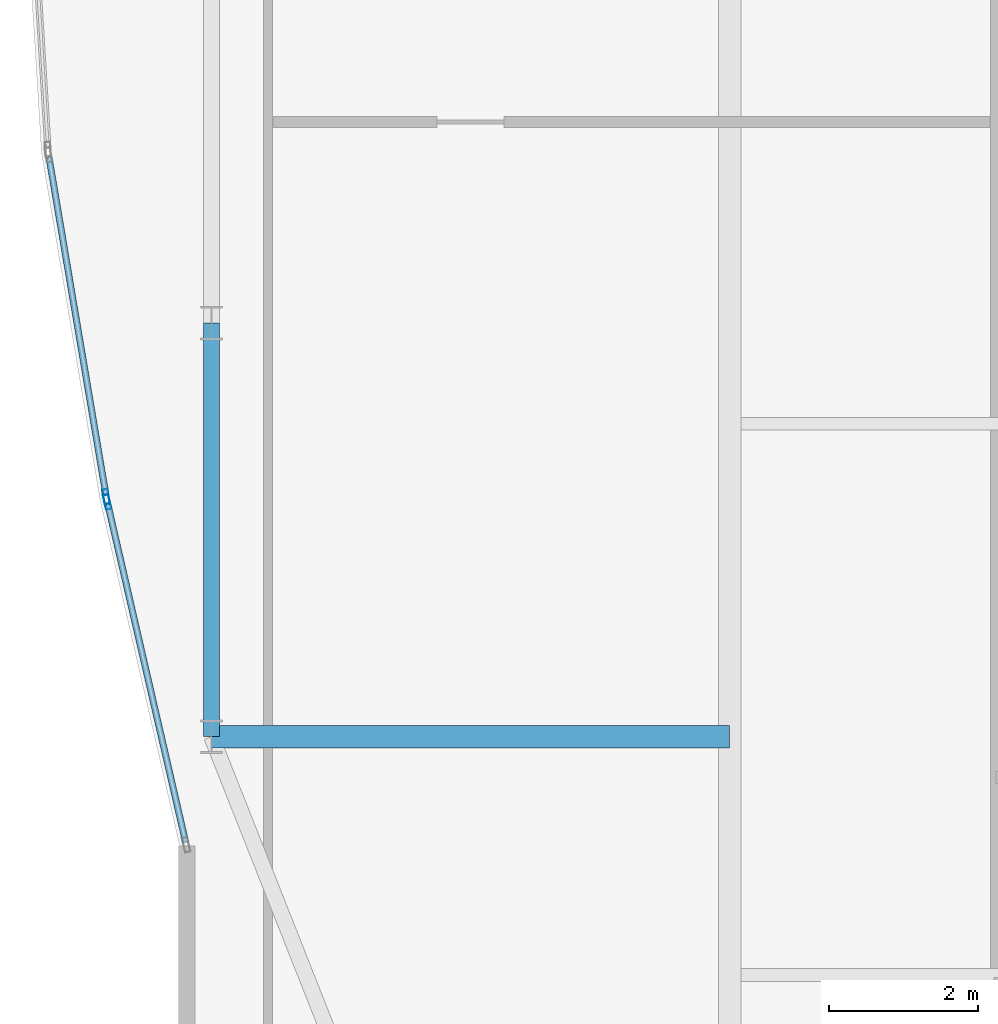
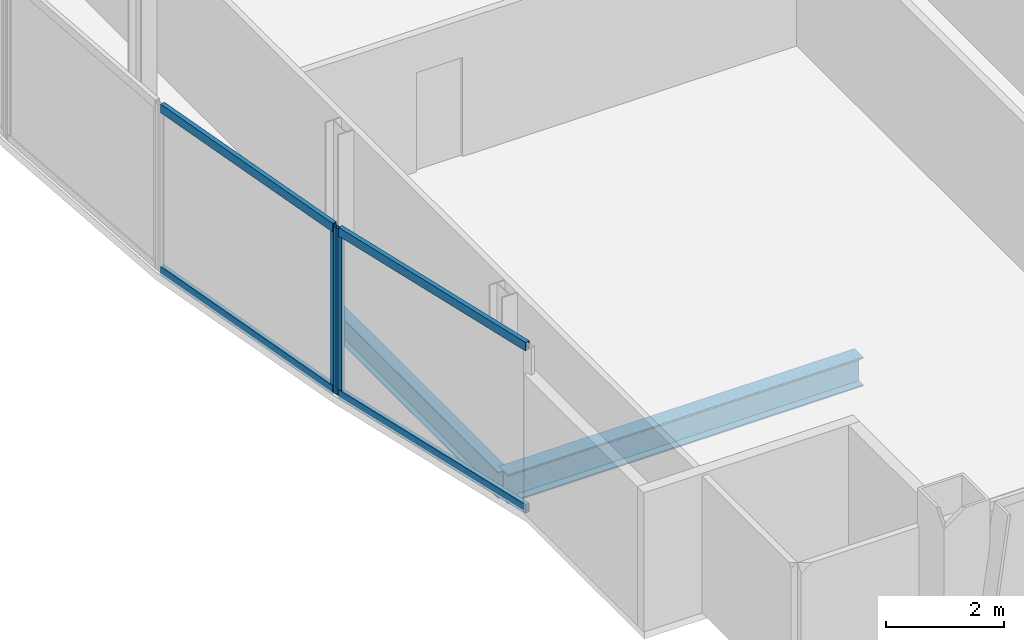
# One storey, part 5 of 29: 6 members, 2 beams, 2 elements without a shape of their own.
"""IFC4 building model written with IfcOpenShell, lengths in metres."""

from ifc_helpers import new_model, si_unit, direction, frame, origin, origin_2d, place, context, subcontext, project, spatial, hollow_rectangle, i_section, extrude, material, material_profile, profile_set, type_object, element, aggregate, save


model = new_model("IFC4")

# Units and contexts
model_context = context("Model", 3, precision=1e-05, world=origin(), true_north=direction((0.0, 1.0)))
body_context = subcontext(model_context, "Body", "Model", "MODEL_VIEW")
ifc_project = project(units=[si_unit("LENGTHUNIT", "METRE"), si_unit("AREAUNIT", "SQUARE_METRE"), si_unit("VOLUMEUNIT", "CUBIC_METRE"), si_unit("PLANEANGLEUNIT", "RADIAN"), si_unit("MASSUNIT", "GRAM", prefix="KILO")], contexts=[model_context])

# Site, building, storey
site_placement = place(None, origin())
site = spatial("IfcSite", under=ifc_project, at=site_placement, CompositionType="ELEMENT")
building_placement = place(site_placement, origin())
building = spatial("IfcBuilding", under=site, at=building_placement, Name="Khoronbel Lancet Exchange", CompositionType="ELEMENT")
storey_placement = place(building_placement, frame((0.0, 0.0, 321.800048828125)))
storey = spatial("IfcBuildingStorey", under=building, at=storey_placement, Name="L83", CompositionType="ELEMENT", Elevation=321.800048828125)

# Beams
ifc_material_1 = material(Name="Steel S355", Category="steel")
ifc_material_profile_1 = material_profile(ifc_material_1, i_section(OverallWidth=0.300048828125, OverallDepth=0.60009765625, WebThickness=0.015380859375, FlangeThickness=0.030029296875, at=origin_2d()), Name="HEB 600")
ifc_profile_set_1 = profile_set([ifc_material_profile_1], Name="Steel S355")
beam_type_1 = type_object("IfcBeamType", Name="BM-BG5", PredefinedType="BEAM", material=ifc_profile_set_1)
beam_1_placement = place(storey_placement, frame((11.27001953125, 19.199951171875, -0.4599609375), z_axis=(1.0, 0.0, 0.0), x_axis=(0.0, 1.0, 0.0)))
element("IfcBeam", 1, at=beam_1_placement, inside=storey, type_object=beam_type_1, Name="Level L83 west lens tie girder LG1W", PredefinedType="BEAM", context=body_context, shape_type="SweptSolid", body=[
    extrude(i_section(OverallWidth=0.300048828125, OverallDepth=0.60009765625, WebThickness=0.015380859375, FlangeThickness=0.030029296875, at=origin_2d()), origin(), (0.0, 0.0, 1.0), 6.955078125),
])
ifc_material_profile_2 = material_profile(ifc_material_1, i_section(OverallWidth=0.2099609375, OverallDepth=0.550048828125, WebThickness=0.010986328125, FlangeThickness=0.01708984375, at=origin_2d()), Name="IPE 550")
ifc_profile_set_2 = profile_set([ifc_material_profile_2], Name="Steel S355")
beam_type_2 = type_object("IfcBeamType", Name="BM-BSP3", PredefinedType="SPANDREL", material=ifc_profile_set_2)
beam_2_placement = place(storey_placement, frame((11.27001953125, 24.75, -0.43505859375), z_axis=(0.0, -1.0, 0.0), x_axis=(1.0, 0.0, 0.0)))
element("IfcBeam", 2, at=beam_2_placement, inside=storey, type_object=beam_type_2, Name="Level L83 perimeter spandrel beam SP18", PredefinedType="SPANDREL", context=body_context, shape_type="SweptSolid", body=[
    extrude(i_section(OverallWidth=0.2099609375, OverallDepth=0.550048828125, WebThickness=0.010986328125, FlangeThickness=0.01708984375, at=origin_2d()), origin(), (0.0, 0.0, 1.0), 5.550048828125),
])

# Curtain wall, member
ifc_material_2 = material(Name="Low-E Solar Control Insulating Glass", Category="glass")
curtain_wall_type = type_object("IfcCurtainWallType", Name="CW-4", PredefinedType="NOTDEFINED", material=ifc_material_2)
curtain_wall_1_placement = place(storey_placement, origin())
curtain_wall_1 = element("IfcCurtainWall", 3, at=curtain_wall_1_placement, inside=storey, type_object=curtain_wall_type, Name="Unitised curtain wall CW-L83-E04", PredefinedType="NOTDEFINED")
ifc_material_3 = material(Name="Bronze-Anodised Aluminium 6063-T6", Category="aluminium")
ifc_material_profile_3 = material_profile(ifc_material_3, hollow_rectangle(XDim=0.074951171875, YDim=0.199951171875, WallThickness=0.0048828125, at=origin_2d()), Name="ALU MULLION 75x200")
ifc_profile_set_3 = profile_set([ifc_material_profile_3], Name="Bronze-Anodised Aluminium 6063-T6")
member_type_1 = type_object("IfcMemberType", Name="MEM-CWM2", PredefinedType="MULLION", material=ifc_profile_set_3)
member_1_placement = place(storey_placement, frame((9.871826171875, 22.34765625, 0.0), z_axis=(0.0, 0.0, 1.0), x_axis=(-0.974479667701, -0.224475783189, 0.0)))
member_1 = element("IfcMember", 4, at=member_1_placement, type_object=member_type_1, Name="CW4 mullion 2", PredefinedType="MULLION", context=body_context, shape_type="SweptSolid", body=[
    extrude(hollow_rectangle(XDim=0.074951171875, YDim=0.199951171875, WallThickness=0.0048828125, at=origin_2d()), origin(), (0.0, 0.0, 1.0), 3.43994140625),
])

curtain_wall_2_placement = place(storey_placement, origin())
curtain_wall_2 = element("IfcCurtainWall", 5, at=curtain_wall_2_placement, inside=storey, type_object=curtain_wall_type, Name="Unitised curtain wall CW-L83-E05", PredefinedType="NOTDEFINED")
member_2_placement = place(storey_placement, frame((9.857177734375, 22.42138671875, 0.0), z_axis=(0.0, 0.0, 1.0), x_axis=(-0.986074631142, -0.166303402909, 0.0)))
member_2 = element("IfcMember", 6, at=member_2_placement, type_object=member_type_1, Name="CW4 mullion 1", PredefinedType="MULLION", context=body_context, shape_type="SweptSolid", body=[
    extrude(hollow_rectangle(XDim=0.074951171875, YDim=0.199951171875, WallThickness=0.0048828125, at=origin_2d()), origin(), (0.0, 0.0, 1.0), 3.43994140625),
])

# Member
ifc_material_profile_4 = material_profile(ifc_material_3, hollow_rectangle(XDim=0.0849609375, YDim=0.179931640625, WallThickness=0.0048828125, at=origin_2d()), Name="ALU TRANSOM 85x180")
ifc_profile_set_4 = profile_set([ifc_material_profile_4], Name="Bronze-Anodised Aluminium 6063-T6")
member_type_2 = type_object("IfcMemberType", Name="MEM-CWT1", PredefinedType="USERDEFINED", material=ifc_profile_set_4)
member_3_placement = place(storey_placement, frame((10.923095703125, 17.783203125, 0.04248046875), z_axis=(-0.224456572201, 0.974484092839, 0.0), x_axis=(-0.974484092839, -0.224456572201, 0.0)))
member_3 = element("IfcMember", 7, at=member_3_placement, type_object=member_type_2, Name="CW4 transom 1.1", ObjectType="TRANSOM", PredefinedType="USERDEFINED", context=body_context, shape_type="SweptSolid", body=[
    extrude(hollow_rectangle(XDim=0.0849609375, YDim=0.179931640625, WallThickness=0.0048828125, at=origin_2d()), origin(), (0.0, 0.0, 1.0), 4.646728515625),
])

member_4_placement = place(storey_placement, frame((10.923095703125, 17.783203125, 3.3974609375), z_axis=(-0.224456572201, 0.974484092839, 0.0), x_axis=(-0.974484092839, -0.224456572201, 0.0)))
member_4 = element("IfcMember", 8, at=member_4_placement, type_object=member_type_2, Name="CW4 transom 1.2", ObjectType="TRANSOM", PredefinedType="USERDEFINED", context=body_context, shape_type="SweptSolid", body=[
    extrude(hollow_rectangle(XDim=0.0849609375, YDim=0.179931640625, WallThickness=0.0048828125, at=origin_2d()), origin(), (0.0, 0.0, 1.0), 4.646728515625),
])

aggregate(curtain_wall_1, [member_1, member_3, member_4])

member_5_placement = place(storey_placement, frame((9.850830078125, 22.458251953125, 0.04248046875), z_axis=(-0.166276460218, 0.9860791747, 0.0), x_axis=(-0.9860791747, -0.166276460218, 0.0)))
member_5 = element("IfcMember", 9, at=member_5_placement, type_object=member_type_2, Name="CW4 transom 1.1", ObjectType="TRANSOM", PredefinedType="USERDEFINED", context=body_context, shape_type="SweptSolid", body=[
    extrude(hollow_rectangle(XDim=0.0849609375, YDim=0.179931640625, WallThickness=0.0048828125, at=origin_2d()), origin(), (0.0, 0.0, 1.0), 4.5751953125),
])

member_6_placement = place(storey_placement, frame((9.850830078125, 22.458251953125, 3.3974609375), z_axis=(-0.166276460218, 0.9860791747, 0.0), x_axis=(-0.9860791747, -0.166276460218, 0.0)))
member_6 = element("IfcMember", 10, at=member_6_placement, type_object=member_type_2, Name="CW4 transom 1.2", ObjectType="TRANSOM", PredefinedType="USERDEFINED", context=body_context, shape_type="SweptSolid", body=[
    extrude(hollow_rectangle(XDim=0.0849609375, YDim=0.179931640625, WallThickness=0.0048828125, at=origin_2d()), origin(), (0.0, 0.0, 1.0), 4.5751953125),
])

aggregate(curtain_wall_2, [member_2, member_5, member_6])

save(model, "model.ifc")
